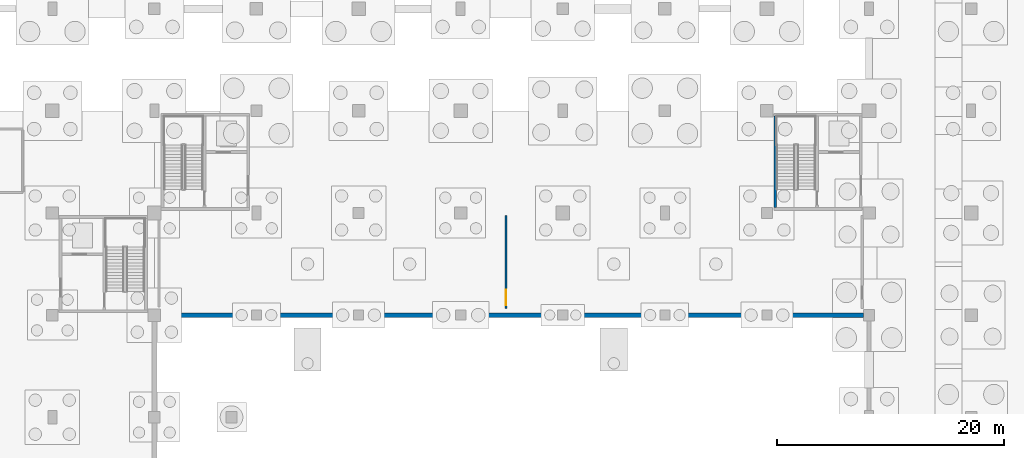
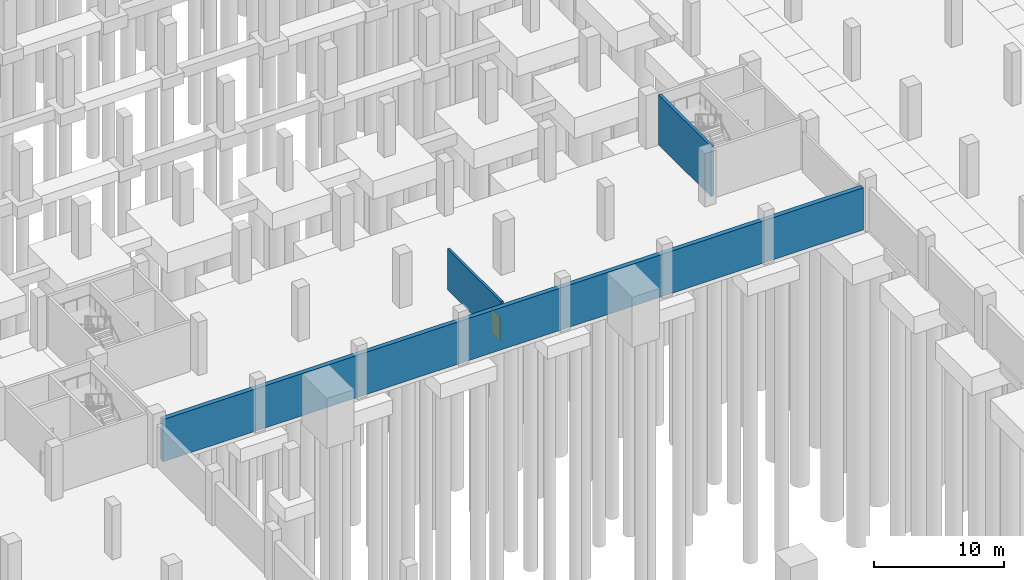
# One storey, part 17 of 37: 3 walls, 1 door, 1 opening.
"""IFC4 building model written with IfcOpenShell, lengths in metres."""

from ifc_helpers import new_model, si_unit, direction, frame, frame_2d, origin, place, context, subcontext, project, spatial, rectangle, extrude, material, layer, layer_set, type_object, element, fill, save


model = new_model("IFC4")

# Units and contexts
model_context = context("Model", 3, precision=1e-05, world=origin(), true_north=direction((0.0, 1.0)))
body_context = subcontext(model_context, "Body", "Model", "MODEL_VIEW")
ifc_project = project(units=[si_unit("LENGTHUNIT", "METRE"), si_unit("AREAUNIT", "SQUARE_METRE"), si_unit("VOLUMEUNIT", "CUBIC_METRE"), si_unit("PLANEANGLEUNIT", "RADIAN"), si_unit("MASSUNIT", "GRAM", prefix="KILO")], contexts=[model_context])

# Site, building, storey
site_placement = place(None, origin())
site = spatial("IfcSite", under=ifc_project, at=site_placement, CompositionType="ELEMENT")
building_placement = place(site_placement, origin())
building = spatial("IfcBuilding", under=site, at=building_placement, Name="Barlavento Convention Centre", CompositionType="ELEMENT")
storey_placement = place(building_placement, frame((0.0, 0.0, -5.0)))
storey = spatial("IfcBuildingStorey", under=building, at=storey_placement, Name="B1", CompositionType="ELEMENT", Elevation=-5.0)

# Wall, opening, door
ifc_material_1 = material(Name="Concrete C40/50", Category="concrete")
ifc_layer_1 = layer(ifc_material_1, 0.199951171875)
ifc_layer_set_1 = layer_set([ifc_layer_1], Name="ARC-WL-FIRE-200")
wall_type_1 = type_object("IfcWallType", Name="ARC-WL-FIRE-200", PredefinedType="SOLIDWALL", material=ifc_layer_set_1)
wall_1_placement = place(storey_placement, frame((94.0, 36.60009765625, 0.0), z_axis=(0.0, 0.0, 1.0), x_axis=(0.0, 1.0, 0.0)))
wall_1 = element("IfcWall", 1, at=wall_1_placement, inside=storey, type_object=wall_type_1, Name="B1 interior wall FW-01", PredefinedType="SOLIDWALL", context=body_context, shape_type="SweptSolid", body=[
    extrude(rectangle(XDim=8.199951171875, YDim=0.199951171875, at=frame_2d((4.10009765625, 0.0))), origin(), (0.0, 0.0, 1.0), 3.85009765625),
])
opening_placement = place(wall_1_placement, frame((0.25, 0.0, 0.0)))
opening = element("IfcOpeningElement", 2, at=opening_placement, cuts=wall_1, Name="Opening ID-12", PredefinedType="OPENING", context=body_context, shape_type="SweptSolid", body=[
    extrude(rectangle(XDim=1.39990234375, YDim=2.25, at=frame_2d((0.699951171875, 1.125))), frame((0.0, 0.10986328125, 0.0), z_axis=(0.0, -1.0, 0.0), x_axis=(1.0, 0.0, 0.0)), (0.0, 0.0, 1.0), 0.219970703125),
])
ifc_material_2 = material(Name="Painted galvanized steel", Category="steel")
door_type = type_object("IfcDoorType", Name="ARC-DR-PLANT-1400X2250", OperationType="DOUBLE_DOOR_SINGLE_SWING", PredefinedType="DOOR", material=ifc_material_2)
door_placement = place(opening_placement, origin())
door = element("IfcDoor", 3, at=door_placement, inside=storey, type_object=door_type, Name="DR-INT-B1-0206 B1 interior door ID-12", OperationType="DOUBLE_DOOR_SINGLE_SWING", OverallHeight=2.25, OverallWidth=1.39990234375, PredefinedType="DOOR", context=body_context, shape_type="SweptSolid", body=[
    extrude(rectangle(XDim=1.39990234375, YDim=2.25, at=frame_2d((0.699951171875, 1.125))), frame((0.0, 0.02490234375, 0.0), z_axis=(0.0, -1.0, 0.0), x_axis=(1.0, 0.0, 0.0)), (0.0, 0.0, 1.0), 0.050048828125),
])
fill(opening, door)

# Walls
ifc_material_3 = material(Name="Concrete C50/60", Category="concrete")
ifc_layer_2 = layer(ifc_material_3, 0.25)
ifc_layer_set_2 = layer_set([ifc_layer_2], Name="STR-WL-CORE-250")
wall_type_2 = type_object("IfcWallType", Name="STR-WL-CORE-250", PredefinedType="SHEAR", material=ifc_layer_set_2)
wall_2_placement = place(storey_placement, frame((117.72509765625, 45.469970703125, 0.0), z_axis=(0.0, 0.0, 1.0), x_axis=(0.0, 1.0, 0.0)))
element("IfcWall", 4, at=wall_2_placement, inside=storey, type_object=wall_type_2, Name="B1 interior wall CW-02", PredefinedType="SHEAR", context=body_context, shape_type="SweptSolid", body=[
    extrude(rectangle(XDim=8.06005859375, YDim=0.25, at=frame_2d((4.030029296875, 0.0))), origin(), (0.0, 0.0, 1.0), 4.679931640625),
])
ifc_layer_3 = layer(ifc_material_1, 0.39990234375)
ifc_layer_set_3 = layer_set([ifc_layer_3], Name="STR-WL-SHR-400")
wall_type_3 = type_object("IfcWallType", Name="STR-WL-SHR-400", PredefinedType="SHEAR", material=ifc_layer_set_3)
wall_3_placement = place(storey_placement, frame((63.544921875, 36.0, 0.0), z_axis=(0.0, 0.0, 1.0), x_axis=(1.0, 0.0, 0.0)))
element("IfcWall", 5, at=wall_3_placement, inside=storey, type_object=wall_type_3, Name="B1 exterior wall SW01", PredefinedType="SHEAR", context=body_context, shape_type="SweptSolid", body=[
    extrude(rectangle(XDim=61.9599609375, YDim=0.39990234375, at=frame_2d((30.97998046875, 0.0))), origin(), (0.0, 0.0, 1.0), 3.949951171875),
])

save(model, "model.ifc")
